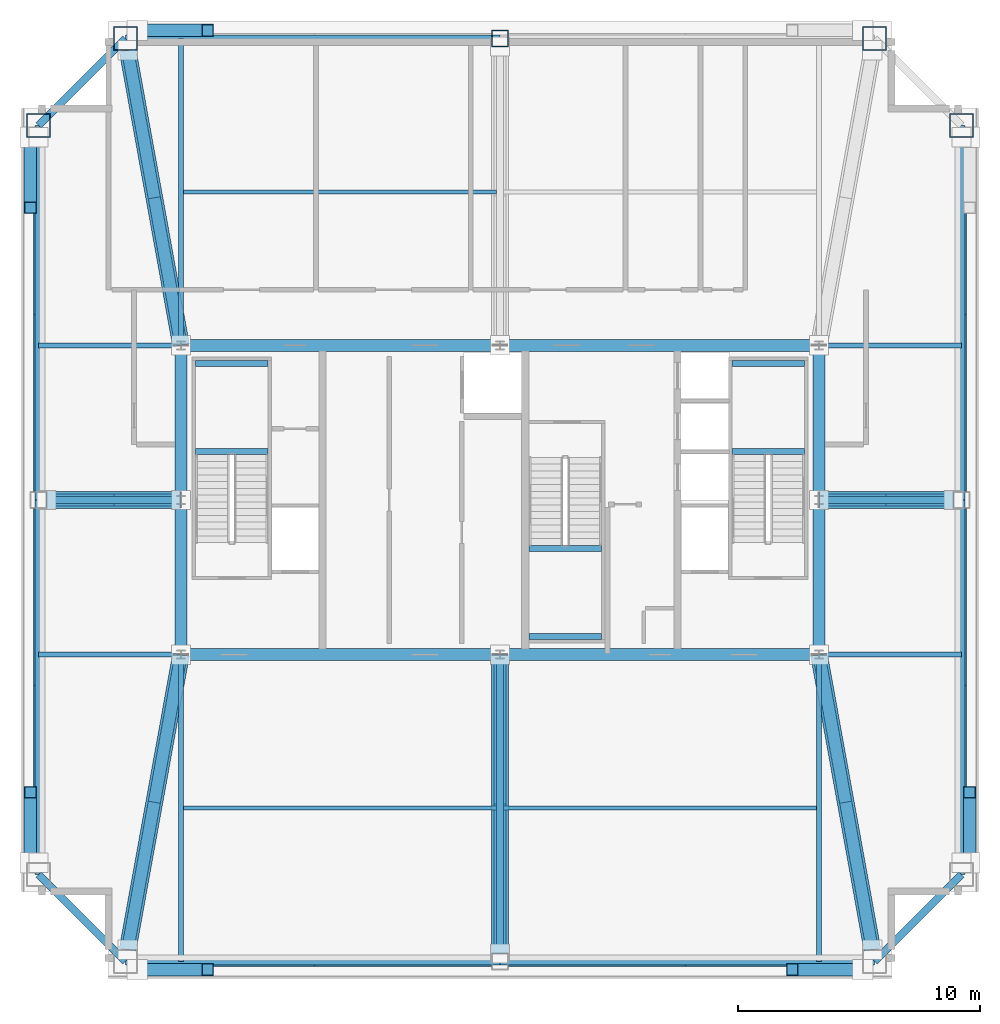
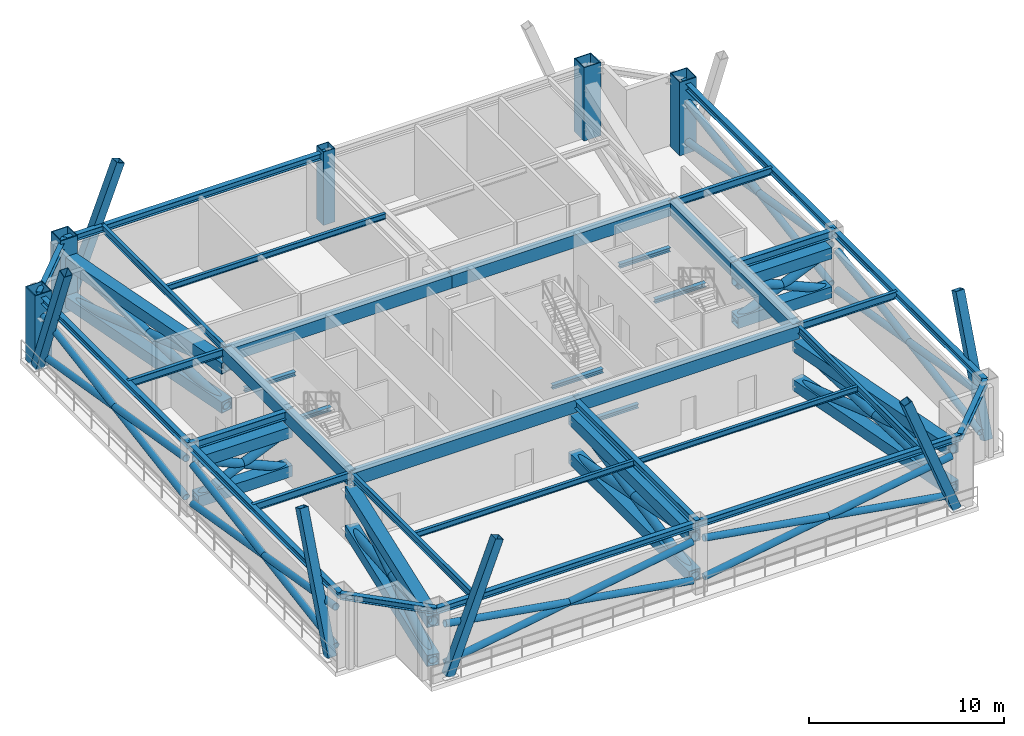
# One storey, part 3 of 9: 42 members, 37 beams, 5 columns.
"""IFC4 building model written with IfcOpenShell, lengths in metres."""

import ifcopenshell
import ifcopenshell.guid

model = None  # the IFC model being written
_history = None  # IfcOwnerHistory: only IFC2X3 demands one
_inside = {}  # id of a spatial element -> (the spatial element, [elements in it])
_under = {}  # id of a project, library or spatial element -> (it, [spatial elements below it])
_declared = {}  # id of a project -> (the project, [libraries it declares])
_typed = {}  # id of a type object -> (the type object, [elements of that type])
_made_of = {}  # id of a material, layer set ... -> (it, [elements and type objects made of it])


def new_model(schema):
    """Start an empty IFC model of exactly this schema.

    Asked for "IFC4X3", IfcOpenShell would pick the latest addendum, in which some entities
    have other attributes; the version numbers below select the first issue.
    IFC2X3 requires an IfcOwnerHistory on every rooted entity: one is made here for all.
    """
    global model, _history
    if schema == "IFC4X3":
        model = ifcopenshell.file(schema_version=(4, 3, 0, 0))
    else:
        model = ifcopenshell.file(schema=schema)
    _inside.clear()
    _under.clear()
    _declared.clear()
    _typed.clear()
    _made_of.clear()
    _history = None
    if model.schema == "IFC2X3":
        org = make("IfcOrganization", Name="unknown")
        user = make(
            "IfcPersonAndOrganization",
            ThePerson=make("IfcPerson", FamilyName="unknown"),
            TheOrganization=org,
        )
        app = make(
            "IfcApplication",
            ApplicationDeveloper=org,
            Version="unknown",
            ApplicationFullName="unknown",
            ApplicationIdentifier="unknown",
        )
        _history = make(
            "IfcOwnerHistory",
            OwningUser=user,
            OwningApplication=app,
            ChangeAction="ADDED",
            CreationDate=0,
        )
    return model


def make(cls, **values):
    """One entity of the class cls with the attributes given. An attribute that is None is left unset."""
    return model.create_entity(
        cls, **{name: value for name, value in values.items() if value is not None}
    )


def rooted(cls, **values):
    """An entity with a GlobalId (a new one), such as an element, a storey or a relation."""
    return make(cls, GlobalId=ifcopenshell.guid.new(), OwnerHistory=_history, **values)


def si_unit(unit_type, name, prefix=None):
    """IfcSIUnit, for example si_unit("LENGTHUNIT", "METRE", prefix="MILLI")."""
    return make("IfcSIUnit", UnitType=unit_type, Prefix=prefix, Name=name)


def assignment(units):
    """IfcUnitAssignment: the units of a project."""
    return None if units is None else make("IfcUnitAssignment", Units=units)


def point(xyz):
    """IfcCartesianPoint."""
    return None if xyz is None else make("IfcCartesianPoint", Coordinates=xyz)


def direction(xyz):
    """IfcDirection."""
    return None if xyz is None else make("IfcDirection", DirectionRatios=xyz)


def frame(location, z_axis=None, x_axis=None):
    """IfcAxis2Placement3D, a coordinate frame: its origin and axes. An axis left out is left unset."""
    return make(
        "IfcAxis2Placement3D",
        Location=point(location),
        Axis=direction(z_axis),
        RefDirection=direction(x_axis),
    )


def frame_2d(location, x_axis=None):
    """IfcAxis2Placement2D, a coordinate frame in the plane: its origin and x axis."""
    return make(
        "IfcAxis2Placement2D", Location=point(location), RefDirection=direction(x_axis)
    )


def origin():
    """The frame at (0, 0, 0) with its axes left unset."""
    return frame((0.0, 0.0, 0.0))


def origin_2d():
    """The frame at (0, 0) in the plane with its x axis left unset."""
    return frame_2d((0.0, 0.0))


def place(relative_to, where):
    """IfcLocalPlacement: puts the frame where relative to a parent placement (None: the world)."""
    return make(
        "IfcLocalPlacement", PlacementRelTo=relative_to, RelativePlacement=where
    )


def context(
    kind, dimensions, precision=None, world=None, true_north=None, identifier=None
):
    """IfcGeometricRepresentationContext, for example the 3D "Model" context."""
    return make(
        "IfcGeometricRepresentationContext",
        ContextIdentifier=identifier,
        ContextType=kind,
        CoordinateSpaceDimension=dimensions,
        Precision=precision,
        WorldCoordinateSystem=world,
        TrueNorth=true_north,
    )


def subcontext(parent, identifier, kind, view, scale=None):
    """IfcGeometricRepresentationSubContext, for example "Body" below "Model"."""
    return make(
        "IfcGeometricRepresentationSubContext",
        ContextIdentifier=identifier,
        ContextType=kind,
        ParentContext=parent,
        TargetScale=scale,
        TargetView=view,
    )


def project(units=None, contexts=None):
    """IfcProject with its units and contexts."""
    return rooted(
        "IfcProject",
        Name="project",
        RepresentationContexts=contexts,
        UnitsInContext=assignment(units),
    )


def spatial(cls, under=None, at=None, **own):
    """A site, building, storey or space (cls), placed at a placement, below another one or the project."""
    s = rooted(cls, ObjectPlacement=at, **own)
    if under is not None:
        _under.setdefault(under.id(), (under, []))[1].append(s)
    return s


def profile(cls, at=None, kind="AREA", **sizes):
    """A parametric profile (cls). Its sizes go by their IFC names, for example OverallWidth=200.0."""
    return make(cls, ProfileType=kind, Position=at, **sizes)


def rectangle(**sizes):
    """IfcRectangleProfileDef."""
    return profile("IfcRectangleProfileDef", **sizes)


def hollow_rectangle(**sizes):
    """IfcRectangleHollowProfileDef."""
    return profile("IfcRectangleHollowProfileDef", **sizes)


def hollow_circle(**sizes):
    """IfcCircleHollowProfileDef."""
    return profile("IfcCircleHollowProfileDef", **sizes)


def i_section(**sizes):
    """IfcIShapeProfileDef."""
    return profile("IfcIShapeProfileDef", **sizes)


def extrude(swept, where, along, depth):
    """IfcExtrudedAreaSolid: the profile swept, set in the frame where, extruded along a direction by depth."""
    return make(
        "IfcExtrudedAreaSolid",
        SweptArea=swept,
        Position=where,
        ExtrudedDirection=direction(along),
        Depth=depth,
    )


def shape(context_of_items, identifier, shape_type, items):
    """IfcShapeRepresentation: the items that make up one representation, for example the "Body"."""
    return make(
        "IfcShapeRepresentation",
        ContextOfItems=context_of_items,
        RepresentationIdentifier=identifier,
        RepresentationType=shape_type,
        Items=items,
    )


def source(mapping_origin, context_of_items, identifier, shape_type, items):
    """IfcRepresentationMap: a shape defined once, which mapped items show again and again."""
    return make(
        "IfcRepresentationMap",
        MappingOrigin=mapping_origin,
        MappedRepresentation=shape(context_of_items, identifier, shape_type, items),
    )


def transform(
    local_origin,
    x_axis=None,
    y_axis=None,
    z_axis=None,
    scale=None,
    scale2=None,
    scale3=None,
    uniform=True,
):
    """IfcCartesianTransformationOperator3D, or its non-uniform kind. x_axis, y_axis, z_axis: its Axis1, 2, 3."""
    if uniform:
        return make(
            "IfcCartesianTransformationOperator3D",
            Axis1=direction(x_axis),
            Axis2=direction(y_axis),
            LocalOrigin=point(local_origin),
            Scale=scale,
            Axis3=direction(z_axis),
        )
    return make(
        "IfcCartesianTransformationOperator3DnonUniform",
        Axis1=direction(x_axis),
        Axis2=direction(y_axis),
        LocalOrigin=point(local_origin),
        Scale=scale,
        Axis3=direction(z_axis),
        Scale2=scale2,
        Scale3=scale3,
    )


def mapped(mapping_source, mapping_target):
    """IfcMappedItem: shows the shape of a source again, moved by a transform."""
    return make(
        "IfcMappedItem", MappingSource=mapping_source, MappingTarget=mapping_target
    )


def material(Name=None, Category=None):
    """IfcMaterial."""
    return make("IfcMaterial", Name=Name, Category=Category)


def material_profile(
    of_material, cross_section, Name=None, Category=None, Priority=None
):
    """IfcMaterialProfile: a cross section and its material."""
    return make(
        "IfcMaterialProfile",
        Name=Name,
        Material=of_material,
        Profile=cross_section,
        Priority=Priority,
        Category=Category,
    )


def profile_set(profiles, Name=None, composite=None):
    """IfcMaterialProfileSet."""
    return make(
        "IfcMaterialProfileSet",
        Name=Name,
        MaterialProfiles=profiles,
        CompositeProfile=composite,
    )


def made_of(thing, what):
    """Note that an element or type object is made of a material, layer set ...; save() writes the relation."""
    if what is not None:
        _made_of.setdefault(what.id(), (what, []))[1].append(thing)
    return thing


def type_object(cls, material=None, **own):
    """A type object (cls), such as IfcWallType, which elements share."""
    return made_of(rooted(cls, **own), material)


def element(
    cls,
    number,
    at=None,
    inside=None,
    cuts=None,
    type_object=None,
    material=None,
    context=None,
    identifier="Body",
    shape_type=None,
    held_by="IfcProductDefinitionShape",
    body=None,
    shapes=None,
    **own,
):
    """One element of the class cls, such as IfcWall. Its Tag is "e" and its number.

    at: its placement. inside: the storey or other place that contains it. cuts: it is an
    opening in that element (IfcRelVoidsElement). A single representation is given by context,
    identifier, shape_type and body (its items); several are given by shapes. held_by: the class
    of the entity that holds the representations. save() writes the other relations.
    """
    e = rooted(cls, Tag="e%d" % number, ObjectPlacement=at, **own)
    if body is not None:
        shapes = [shape(context, identifier, shape_type, body)]
    if shapes is not None:
        e.Representation = make(held_by, Representations=shapes)
    if inside is not None:
        _inside.setdefault(inside.id(), (inside, []))[1].append(e)
    if cuts is not None:
        rooted(
            "IfcRelVoidsElement", RelatingBuildingElement=cuts, RelatedOpeningElement=e
        )
    if type_object is not None:
        _typed.setdefault(type_object.id(), (type_object, []))[1].append(e)
    return made_of(e, material)


def aggregate(whole, parts):
    """IfcRelAggregates: a whole, such as a stair, and the parts it consists of."""
    return rooted("IfcRelAggregates", RelatingObject=whole, RelatedObjects=parts)


def save(model, path):
    """Write the relations noted so far, then the file.

    IfcRelAggregates (storeys below a building ...), IfcRelContainedInSpatialStructure (elements
    in a storey), IfcRelDefinesByType, IfcRelAssociatesMaterial and IfcRelDeclares: one each for
    every whole, place, type object, material and project.
    """
    for whole, parts in _under.values():
        aggregate(whole, parts)
    for where, things in _inside.values():
        rooted(
            "IfcRelContainedInSpatialStructure",
            RelatedElements=things,
            RelatingStructure=where,
        )
    for kind, things in _typed.values():
        rooted("IfcRelDefinesByType", RelatedObjects=things, RelatingType=kind)
    for what, things in _made_of.values():
        rooted("IfcRelAssociatesMaterial", RelatedObjects=things, RelatingMaterial=what)
    for by, libraries in _declared.values():
        rooted("IfcRelDeclares", RelatingContext=by, RelatedDefinitions=libraries)
    model.write(path)


model = new_model("IFC4")

# Units and contexts
model_context = context("Model", 3, precision=1e-05, world=origin(), true_north=direction((0.0, 1.0)))
body_context = subcontext(model_context, "Body", "Model", "MODEL_VIEW")
ifc_project = project(units=[si_unit("LENGTHUNIT", "METRE"), si_unit("AREAUNIT", "SQUARE_METRE"), si_unit("VOLUMEUNIT", "CUBIC_METRE"), si_unit("PLANEANGLEUNIT", "RADIAN"), si_unit("MASSUNIT", "GRAM", prefix="KILO"), si_unit("THERMODYNAMICTEMPERATUREUNIT", "KELVIN"), si_unit("POWERUNIT", "WATT")], contexts=[model_context])

# Site, building, storey
site_placement = place(None, origin())
site = spatial("IfcSite", under=ifc_project, at=site_placement, CompositionType="ELEMENT")
building_placement = place(site_placement, origin())
building = spatial("IfcBuilding", under=site, at=building_placement, Name="Yuzanri Waterfront Tower", CompositionType="ELEMENT")
storey_placement = place(building_placement, frame((0.0, 0.0, 306.60009765625)))
storey = spatial("IfcBuildingStorey", under=building, at=storey_placement, Name="L82", CompositionType="ELEMENT", Elevation=306.60009765625)

# Columns
ifc_material_1 = material(Name="Steel Q390GJC", Category="steel")
ifc_material_profile_1 = material_profile(ifc_material_1, hollow_rectangle(XDim=1.0, YDim=1.0, WallThickness=0.048095703125, at=origin_2d()), Name="RHS 1000x1000x48")
ifc_profile_set_1 = profile_set([ifc_material_profile_1], Name="Steel Q390GJC")
column_type_1 = type_object("IfcColumnType", Name="Mega Column Q390GJC RHS 1000x1000x48", PredefinedType="COLUMN", material=ifc_profile_set_1)
shared_shape_1 = source(origin(), body_context, "Body", "SweptSolid", [
    extrude(hollow_rectangle(XDim=1.0, YDim=1.0, WallThickness=0.048095703125, at=origin_2d()), origin(), (0.0, 0.0, 1.0), 4.599853515625),
])
for number, where, z_axis, x_axis, name in (
    (1, (21.5, 44.89990234375, 0.0), (0.0, 0.0, 1.0), (1.0, 0.0, 0.0), "L82 Perimeter Mega Column N1"),
    (2, (52.5, 44.89990234375, 0.0), (0.0, 0.0, 1.0), (1.0, 0.0, 0.0), "L82 Perimeter Mega Column N3"),
    (3, (17.89990234375, 41.300048828125, 0.0), (0.0, 0.0, 1.0), (1.0, 0.0, 0.0), "L82 Perimeter Mega Column W3"),
    (4, (56.10009765625, 41.300048828125, 0.0), (0.0, 0.0, 1.0), (1.0, 0.0, 0.0), "L82 Perimeter Mega Column E3"),
):
    element("IfcColumn", number, at=place(storey_placement, frame(where, z_axis=z_axis, x_axis=x_axis)), inside=storey, type_object=column_type_1, Name=name, PredefinedType="COLUMN", context=body_context, shape_type="MappedRepresentation", body=[
        mapped(shared_shape_1, transform((0.0, 0.0, 0.0), scale=1.0)),
    ])
ifc_material_2 = material(Name="Steel Q355B", Category="steel")
ifc_material_profile_2 = material_profile(ifc_material_2, hollow_rectangle(XDim=0.699951171875, YDim=0.699951171875, WallThickness=0.031982421875, at=origin_2d()), Name="RHS 700x700x32")
ifc_profile_set_2 = profile_set([ifc_material_profile_2], Name="Steel Q355B")
column_type_2 = type_object("IfcColumnType", Name="Frame Column Q355B RHS 700x700x32", PredefinedType="COLUMN", material=ifc_profile_set_2)
shared_shape_2 = source(origin(), body_context, "Body", "SweptSolid", [
    extrude(hollow_rectangle(XDim=0.699951171875, YDim=0.699951171875, WallThickness=0.031982421875, at=origin_2d()), origin(), (0.0, 0.0, 1.0), 4.599853515625),
])
column_placement = place(storey_placement, frame((37.0, 44.89990234375, 0.0), z_axis=(0.0, 0.0, 1.0), x_axis=(1.0, 0.0, 0.0)))
element("IfcColumn", 5, at=column_placement, inside=storey, type_object=column_type_2, Name="L82 Perimeter Frame Column N2", PredefinedType="COLUMN", context=body_context, shape_type="MappedRepresentation", body=[
    mapped(shared_shape_2, transform((0.0, 0.0, 0.0), scale=1.0)),
])

# Beams
ifc_material_3 = material(Name="Concrete C50", Category="concrete")
ifc_material_profile_3 = material_profile(ifc_material_3, rectangle(XDim=0.5, YDim=0.800048828125, at=origin_2d()), Name="RC 500x800")
ifc_profile_set_3 = profile_set([ifc_material_profile_3], Name="Concrete C50")
beam_type_1 = type_object("IfcBeamType", Name="Core Coupling Lintel Concrete C50 500x800", PredefinedType="LINTEL", material=ifc_profile_set_3)
shared_shape_3 = source(origin(), body_context, "Body", "SweptSolid", [
    extrude(rectangle(XDim=0.5, YDim=0.800048828125, at=origin_2d()), origin(), (0.0, 0.0, 1.0), 13.199951171875),
])
for number, where, z_axis, x_axis, name in (
    (6, (23.800048828125, 19.39990234375, 3.97998046875), (1.0, 0.0, 0.0), (0.0, 1.0, 0.0), "L82 Core Tie Beam CS1"),
    (7, (37.0, 19.39990234375, 3.97998046875), (1.0, 0.0, 0.0), (0.0, 1.0, 0.0), "L82 Core Tie Beam CS2"),
    (8, (23.800048828125, 32.199951171875, 3.97998046875), (1.0, 0.0, 0.0), (0.0, 1.0, 0.0), "L82 Core Tie Beam CN1"),
    (9, (37.0, 32.199951171875, 3.97998046875), (1.0, 0.0, 0.0), (0.0, 1.0, 0.0), "L82 Core Tie Beam CN2"),
):
    element("IfcBeam", number, at=place(storey_placement, frame(where, z_axis=z_axis, x_axis=x_axis)), inside=storey, type_object=beam_type_1, Name=name, PredefinedType="LINTEL", context=body_context, shape_type="MappedRepresentation", body=[
        mapped(shared_shape_3, transform((0.0, 0.0, 0.0), scale=1.0)),
    ])
shared_shape_4 = source(origin(), body_context, "Body", "SweptSolid", [
    extrude(rectangle(XDim=0.5, YDim=0.800048828125, at=origin_2d()), origin(), (0.0, 0.0, 1.0), 6.400146484375),
])
for number, where, z_axis, x_axis, name in (
    (10, (23.800048828125, 19.39990234375, 3.97998046875), (0.0, 1.0, 0.0), (-1.0, 0.0, 0.0), "L82 Core Tie Beam CW1"),
    (11, (50.199951171875, 19.39990234375, 3.97998046875), (0.0, 1.0, 0.0), (-1.0, 0.0, 0.0), "L82 Core Tie Beam CE1"),
):
    element("IfcBeam", number, at=place(storey_placement, frame(where, z_axis=z_axis, x_axis=x_axis)), inside=storey, type_object=beam_type_1, Name=name, PredefinedType="LINTEL", context=body_context, shape_type="MappedRepresentation", body=[
        mapped(shared_shape_4, transform((0.0, 0.0, 0.0), scale=1.0)),
    ])
shared_shape_5 = source(origin(), body_context, "Body", "SweptSolid", [
    extrude(rectangle(XDim=0.5, YDim=0.800048828125, at=origin_2d()), origin(), (0.0, 0.0, 1.0), 6.39990234375),
])
for number, where, z_axis, x_axis, name in (
    (12, (23.800048828125, 25.800048828125, 3.97998046875), (0.0, 1.0, 0.0), (-1.0, 0.0, 0.0), "L82 Core Tie Beam CW2"),
    (13, (50.199951171875, 25.800048828125, 3.97998046875), (0.0, 1.0, 0.0), (-1.0, 0.0, 0.0), "L82 Core Tie Beam CE2"),
):
    element("IfcBeam", number, at=place(storey_placement, frame(where, z_axis=z_axis, x_axis=x_axis)), inside=storey, type_object=beam_type_1, Name=name, PredefinedType="LINTEL", context=body_context, shape_type="MappedRepresentation", body=[
        mapped(shared_shape_5, transform((0.0, 0.0, 0.0), scale=1.0)),
    ])
ifc_material_4 = material(Name="Steel Q355B", Category="steel")
ifc_material_profile_4 = material_profile(ifc_material_4, i_section(OverallWidth=0.175048828125, OverallDepth=0.35009765625, WebThickness=0.007080078125, FlangeThickness=0.010986328125, at=origin_2d()), Name="HN 350x175x7x11")
ifc_profile_set_4 = profile_set([ifc_material_profile_4], Name="Steel Q355B")
beam_type_2 = type_object("IfcBeamType", Name="Floor Joist Q355B HN 350x175", PredefinedType="JOIST", material=ifc_profile_set_4)
shared_shape_6 = source(origin(), body_context, "Body", "SweptSolid", [
    extrude(i_section(OverallWidth=0.175048828125, OverallDepth=0.35009765625, WebThickness=0.007080078125, FlangeThickness=0.010986328125, at=origin_2d()), origin(), (0.0, 0.0, 1.0), 12.9501953125),
])
for number, where, z_axis, x_axis, name in (
    (14, (23.89990234375, 13.050048828125, 4.204833984375), (1.0, 0.0, 0.0), (0.0, 1.0, 0.0), "L82 South Bay Joist W"),
    (15, (37.14990234375, 13.050048828125, 4.204833984375), (1.0, 0.0, 0.0), (0.0, 1.0, 0.0), "L82 South Bay Joist E"),
    (16, (23.89990234375, 38.550048828125, 4.204833984375), (1.0, 0.0, 0.0), (0.0, 1.0, 0.0), "L82 North Bay Joist W"),
):
    element("IfcBeam", number, at=place(storey_placement, frame(where, z_axis=z_axis, x_axis=x_axis)), inside=storey, type_object=beam_type_2, Name=name, PredefinedType="JOIST", context=body_context, shape_type="MappedRepresentation", body=[
        mapped(shared_shape_6, transform((0.0, 0.0, 0.0), scale=1.0)),
    ])
ifc_material_5 = material(Name="Steel Q355B", Category="steel")
ifc_material_profile_5 = material_profile(ifc_material_5, i_section(OverallWidth=0.300048828125, OverallDepth=0.389892578125, WebThickness=0.010009765625, FlangeThickness=0.01611328125, at=origin_2d()), Name="HM 390x300x10x16")
ifc_profile_set_5 = profile_set([ifc_material_profile_5], Name="Steel Q355B")
beam_type_3 = type_object("IfcBeamType", Name="Perimeter Spandrel Q355B HM 390x300", PredefinedType="SPANDREL", material=ifc_profile_set_5)
shared_shape_7 = source(origin(), body_context, "Body", "SweptSolid", [
    extrude(i_section(OverallWidth=0.300048828125, OverallDepth=0.389892578125, WebThickness=0.010009765625, FlangeThickness=0.01611328125, at=origin_2d()), origin(), (0.0, 0.0, 1.0), 15.5),
])
for number, where, z_axis, x_axis, name in (
    (17, (21.5, 6.699951171875, 4.184814453125), (1.0, 0.0, 0.0), (0.0, 1.0, 0.0), "L82 Perimeter Spandrel S1-S2"),
    (18, (37.0, 6.699951171875, 4.184814453125), (1.0, 0.0, 0.0), (0.0, 1.0, 0.0), "L82 Perimeter Spandrel S2-S3"),
    (19, (56.10009765625, 10.300048828125, 4.184814453125), (0.0, 1.0, 0.0), (-1.0, 0.0, 0.0), "L82 Perimeter Spandrel E1-E2"),
    (20, (56.10009765625, 25.800048828125, 4.184814453125), (0.0, 1.0, 0.0), (-1.0, 0.0, 0.0), "L82 Perimeter Spandrel E2-E3"),
    (21, (37.0, 44.89990234375, 4.184814453125), (-1.0, 0.0, 0.0), (0.0, -1.0, 0.0), "L82 Perimeter Spandrel N2-N1"),
    (22, (17.89990234375, 41.300048828125, 4.184814453125), (0.0, -1.0, 0.0), (1.0, 0.0, 0.0), "L82 Perimeter Spandrel W3-W2"),
    (23, (17.89990234375, 25.800048828125, 4.184814453125), (0.0, -1.0, 0.0), (1.0, 0.0, 0.0), "L82 Perimeter Spandrel W2-W1"),
):
    element("IfcBeam", number, at=place(storey_placement, frame(where, z_axis=z_axis, x_axis=x_axis)), inside=storey, type_object=beam_type_3, Name=name, PredefinedType="SPANDREL", context=body_context, shape_type="MappedRepresentation", body=[
        mapped(shared_shape_7, transform((0.0, 0.0, 0.0), scale=1.0)),
    ])
shared_shape_8 = source(origin(), body_context, "Body", "SweptSolid", [
    extrude(i_section(OverallWidth=0.300048828125, OverallDepth=0.389892578125, WebThickness=0.010009765625, FlangeThickness=0.01611328125, at=origin_2d()), origin(), (0.0, 0.0, 1.0), 5.09130859375),
])
for number, where, z_axis, x_axis, name in (
    (24, (52.5, 6.699951171875, 4.184814453125), (0.707106781187, 0.707106781187, 0.0), (-0.707106781187, 0.707106781187, 0.0), "L82 Perimeter Spandrel S3-E1"),
    (25, (17.89990234375, 10.300048828125, 4.184814453125), (0.707106781187, -0.707106781187, 0.0), (0.707106781187, 0.707106781187, 0.0), "L82 Perimeter Spandrel W1-S1"),
):
    element("IfcBeam", number, at=place(storey_placement, frame(where, z_axis=z_axis, x_axis=x_axis)), inside=storey, type_object=beam_type_3, Name=name, PredefinedType="SPANDREL", context=body_context, shape_type="MappedRepresentation", body=[
        mapped(shared_shape_8, transform((0.0, 0.0, 0.0), scale=1.0)),
    ])
shared_shape_9 = source(origin(), body_context, "Body", "SweptSolid", [
    extrude(i_section(OverallWidth=0.300048828125, OverallDepth=0.389892578125, WebThickness=0.010009765625, FlangeThickness=0.01611328125, at=origin_2d()), origin(), (0.0, 0.0, 1.0), 5.091064453125),
])
beam_1_placement = place(storey_placement, frame((21.5, 44.89990234375, 4.184814453125), z_axis=(-0.707130757816, -0.707082803744, 0.0), x_axis=(0.707082803744, -0.707130757816, 0.0)))
element("IfcBeam", 26, at=beam_1_placement, inside=storey, type_object=beam_type_3, Name="L82 Perimeter Spandrel N1-W3", PredefinedType="SPANDREL", context=body_context, shape_type="MappedRepresentation", body=[
    mapped(shared_shape_9, transform((0.0, 0.0, 0.0), scale=1.0)),
])
ifc_material_6 = material(Name="Steel Q355B", Category="steel")
ifc_material_profile_6 = material_profile(ifc_material_6, i_section(OverallWidth=0.300048828125, OverallDepth=0.488037109375, WebThickness=0.010986328125, FlangeThickness=0.01806640625, at=origin_2d()), Name="HM 488x300x11x18")
ifc_profile_set_6 = profile_set([ifc_material_profile_6], Name="Steel Q355B")
beam_type_4 = type_object("IfcBeamType", Name="Primary Floor Girder Q355B HM 488x300", PredefinedType="BEAM", material=ifc_profile_set_6)
shared_shape_10 = source(origin(), body_context, "Body", "SweptSolid", [
    extrude(i_section(OverallWidth=0.300048828125, OverallDepth=0.488037109375, WebThickness=0.010986328125, FlangeThickness=0.01806640625, at=origin_2d()), origin(), (0.0, 0.0, 1.0), 12.699951171875),
])
beam_2_placement = place(storey_placement, frame((37.0, 19.39990234375, 4.135986328125), z_axis=(0.0, -1.0, 0.0), x_axis=(1.0, 0.0, 0.0)))
element("IfcBeam", 27, at=beam_2_placement, inside=storey, type_object=beam_type_4, Name="L82 South Grid Girder", PredefinedType="BEAM", context=body_context, shape_type="MappedRepresentation", body=[
    mapped(shared_shape_10, transform((0.0, 0.0, 0.0), scale=1.0)),
])
shared_shape_11 = source(origin(), body_context, "Body", "SweptSolid", [
    extrude(i_section(OverallWidth=0.300048828125, OverallDepth=0.488037109375, WebThickness=0.010986328125, FlangeThickness=0.01806640625, at=origin_2d()), origin(), (0.0, 0.0, 1.0), 5.900146484375),
])
for number, where, z_axis, x_axis, name in (
    (28, (23.800048828125, 25.800048828125, 4.135986328125), (-1.0, 0.0, 0.0), (0.0, -1.0, 0.0), "L82 West Grid Girder"),
    (29, (50.199951171875, 25.800048828125, 4.135986328125), (1.0, 0.0, 0.0), (0.0, 1.0, 0.0), "L82 East Grid Girder"),
):
    element("IfcBeam", number, at=place(storey_placement, frame(where, z_axis=z_axis, x_axis=x_axis)), inside=storey, type_object=beam_type_4, Name=name, PredefinedType="BEAM", context=body_context, shape_type="MappedRepresentation", body=[
        mapped(shared_shape_11, transform((0.0, 0.0, 0.0), scale=1.0)),
    ])
ifc_material_7 = material(Name="Steel Q355B", Category="steel")
ifc_material_profile_7 = material_profile(ifc_material_7, i_section(OverallWidth=0.199951171875, OverallDepth=0.449951171875, WebThickness=0.009033203125, FlangeThickness=0.013916015625, at=origin_2d()), Name="HN 450x200x9x14")
ifc_profile_set_7 = profile_set([ifc_material_profile_7], Name="Steel Q355B")
beam_type_5 = type_object("IfcBeamType", Name="Secondary Floor Beam Q355B HN 450x200", PredefinedType="BEAM", material=ifc_profile_set_7)
shared_shape_12 = source(origin(), body_context, "Body", "SweptSolid", [
    extrude(i_section(OverallWidth=0.199951171875, OverallDepth=0.449951171875, WebThickness=0.009033203125, FlangeThickness=0.013916015625, at=origin_2d()), origin(), (0.0, 0.0, 1.0), 12.699951171875),
])
for number, where, z_axis, x_axis, name in (
    (30, (23.800048828125, 19.39990234375, 4.15478515625), (0.0, -1.0, 0.0), (1.0, 0.0, 0.0), "L82 South-West Core Line Beam"),
    (31, (50.199951171875, 19.39990234375, 4.15478515625), (0.0, -1.0, 0.0), (1.0, 0.0, 0.0), "L82 South-East Core Line Beam"),
    (32, (23.800048828125, 32.199951171875, 4.15478515625), (0.0, 1.0, 0.0), (-1.0, 0.0, 0.0), "L82 North-West Core Line Beam"),
):
    element("IfcBeam", number, at=place(storey_placement, frame(where, z_axis=z_axis, x_axis=x_axis)), inside=storey, type_object=beam_type_5, Name=name, PredefinedType="BEAM", context=body_context, shape_type="MappedRepresentation", body=[
        mapped(shared_shape_12, transform((0.0, 0.0, 0.0), scale=1.0)),
    ])
shared_shape_13 = source(origin(), body_context, "Body", "SweptSolid", [
    extrude(i_section(OverallWidth=0.199951171875, OverallDepth=0.449951171875, WebThickness=0.009033203125, FlangeThickness=0.013916015625, at=origin_2d()), origin(), (0.0, 0.0, 1.0), 5.900146484375),
])
for number, where, z_axis, x_axis, name in (
    (33, (23.800048828125, 19.39990234375, 4.15478515625), (-1.0, 0.0, 0.0), (0.0, -1.0, 0.0), "L82 West-South Core Line Beam"),
    (34, (23.800048828125, 32.199951171875, 4.15478515625), (-1.0, 0.0, 0.0), (0.0, -1.0, 0.0), "L82 West-North Core Line Beam"),
    (35, (50.199951171875, 19.39990234375, 4.15478515625), (1.0, 0.0, 0.0), (0.0, 1.0, 0.0), "L82 East-South Core Line Beam"),
    (36, (50.199951171875, 32.199951171875, 4.15478515625), (1.0, 0.0, 0.0), (0.0, 1.0, 0.0), "L82 East-North Core Line Beam"),
):
    element("IfcBeam", number, at=place(storey_placement, frame(where, z_axis=z_axis, x_axis=x_axis)), inside=storey, type_object=beam_type_5, Name=name, PredefinedType="BEAM", context=body_context, shape_type="MappedRepresentation", body=[
        mapped(shared_shape_13, transform((0.0, 0.0, 0.0), scale=1.0)),
    ])

# Members
ifc_material_8 = material(Name="Steel Q390GJC", Category="steel")
ifc_material_profile_8 = material_profile(ifc_material_8, hollow_rectangle(XDim=0.5, YDim=0.5, WallThickness=0.02197265625, at=origin_2d()), Name="RHS 500x500x22")
ifc_profile_set_8 = profile_set([ifc_material_profile_8], Name="Steel Q390GJC")
member_type_1 = type_object("IfcMemberType", Name="Mega Brace Upper Q390GJC RHS 500x500x22", PredefinedType="BRACE", material=ifc_profile_set_8)
shared_shape_14 = source(origin(), body_context, "Body", "SweptSolid", [
    extrude(hollow_rectangle(XDim=0.5, YDim=0.5, WallThickness=0.02197265625, at=origin_2d()), origin(), (0.0, 0.0, 1.0), 8.1416015625),
])
for number, where, z_axis, x_axis, name in (
    (37, (21.97998046875, 6.360107421875, 0.179931640625), (0.358647496613, 0.0, 0.933473070406), (0.0, 1.0, 0.0), "L82-L83 Perimeter Mega-Brace S-L"),
    (38, (52.02001953125, 6.360107421875, 0.179931640625), (-0.358647496613, 0.0, 0.933473070406), (0.0, -1.0, 0.0), "L82-L83 Perimeter Mega-Brace S-R"),
    (39, (21.97998046875, 45.239990234375, 0.179931640625), (0.358647496613, 0.0, 0.933473070406), (0.0, 1.0, 0.0), "L82-L83 Perimeter Mega-Brace N-L"),
    (40, (17.56005859375, 10.780029296875, 0.179931640625), (0.0, 0.358647496613, 0.933473070406), (-1.0, 0.0, 0.0), "L82-L83 Perimeter Mega-Brace W-L"),
    (41, (17.56005859375, 40.820068359375, 0.179931640625), (0.0, -0.358673626239, 0.933463030784), (1.0, 0.0, 0.0), "L82-L83 Perimeter Mega-Brace W-R"),
    (42, (56.43994140625, 10.780029296875, 0.179931640625), (0.0, 0.358647496613, 0.933473070406), (-1.0, 0.0, 0.0), "L82-L83 Perimeter Mega-Brace E-L"),
):
    element("IfcMember", number, at=place(storey_placement, frame(where, z_axis=z_axis, x_axis=x_axis)), inside=storey, type_object=member_type_1, Name=name, PredefinedType="BRACE", context=body_context, shape_type="MappedRepresentation", body=[
        mapped(shared_shape_14, transform((0.0, 0.0, 0.0), scale=1.0)),
    ])
ifc_material_9 = material(Name="Steel Q420GJC", Category="steel")
ifc_material_profile_9 = material_profile(ifc_material_9, hollow_rectangle(XDim=0.699951171875, YDim=0.699951171875, WallThickness=0.031982421875, at=origin_2d()), Name="RHS 700x700x32")
ifc_profile_set_9 = profile_set([ifc_material_profile_9], Name="Steel Q420GJC")
member_type_2 = type_object("IfcMemberType", Name="Outrigger Chord Q420GJC RHS 700x700x32", PredefinedType="CHORD", material=ifc_profile_set_9)
shared_shape_15 = source(origin(), body_context, "Body", "SweptSolid", [
    extrude(hollow_rectangle(XDim=0.699951171875, YDim=0.699951171875, WallThickness=0.031982421875, at=origin_2d()), origin(), (0.0, 0.0, 1.0), 12.364990234375),
])
for number, where, z_axis, x_axis, name in (
    (43, (37.0, 19.39990234375, 0.719970703125), (0.0, -1.0, 0.0), (1.0, 0.0, 0.0), "L82 Outrigger Bottom Chord S2"),
    (44, (37.0, 19.39990234375, 3.159912109375), (0.0, -1.0, 0.0), (1.0, 0.0, 0.0), "L82 Outrigger Top Chord S2"),
):
    element("IfcMember", number, at=place(storey_placement, frame(where, z_axis=z_axis, x_axis=x_axis)), inside=storey, type_object=member_type_2, Name=name, PredefinedType="CHORD", context=body_context, shape_type="MappedRepresentation", body=[
        mapped(shared_shape_15, transform((0.0, 0.0, 0.0), scale=1.0)),
    ])
ifc_material_10 = material(Name="Steel Q420GJC", Category="steel")
ifc_material_profile_10 = material_profile(ifc_material_10, hollow_circle(Radius=0.25390625, WallThickness=0.02001953125, at=origin_2d()), Name="CHS 508x20")
ifc_profile_set_10 = profile_set([ifc_material_profile_10], Name="Steel Q420GJC")
member_type_3 = type_object("IfcMemberType", Name="Outrigger Diagonal Q420GJC CHS 508x20", PredefinedType="BRACE", material=ifc_profile_set_10)
shared_shape_16 = source(origin(), body_context, "Body", "SweptSolid", [
    extrude(hollow_circle(Radius=0.25390625, WallThickness=0.02001953125, at=origin_2d()), origin(), (0.0, 0.0, 1.0), 12.603515625),
])
for number, where, z_axis, x_axis, name in (
    (45, (37.0, 19.39990234375, 0.719970703125), (0.0, -0.981081823, 0.193593534446), (1.0, 0.0, 0.0), "L82 Outrigger Diagonal 1 S2"),
    (46, (37.0, 19.39990234375, 3.159912109375), (0.0, -0.981081823, -0.193593534446), (1.0, 0.0, 0.0), "L82 Outrigger Diagonal 2 S2"),
):
    element("IfcMember", number, at=place(storey_placement, frame(where, z_axis=z_axis, x_axis=x_axis)), inside=storey, type_object=member_type_3, Name=name, PredefinedType="BRACE", context=body_context, shape_type="MappedRepresentation", body=[
        mapped(shared_shape_16, transform((0.0, 0.0, 0.0), scale=1.0)),
    ])
shared_shape_17 = source(origin(), body_context, "Body", "SweptSolid", [
    extrude(hollow_rectangle(XDim=0.699951171875, YDim=0.699951171875, WallThickness=0.031982421875, at=origin_2d()), origin(), (0.0, 0.0, 1.0), 5.56494140625),
])
for number, where, z_axis, x_axis, name in (
    (47, (23.800048828125, 25.800048828125, 0.719970703125), (-1.0, 0.0, 0.0), (0.0, -1.0, 0.0), "L82 Outrigger Bottom Chord W2"),
    (48, (23.800048828125, 25.800048828125, 3.159912109375), (-1.0, 0.0, 0.0), (0.0, -1.0, 0.0), "L82 Outrigger Top Chord W2"),
    (49, (50.199951171875, 25.800048828125, 0.719970703125), (1.0, 0.0, 0.0), (0.0, 1.0, 0.0), "L82 Outrigger Bottom Chord E2"),
    (50, (50.199951171875, 25.800048828125, 3.159912109375), (1.0, 0.0, 0.0), (0.0, 1.0, 0.0), "L82 Outrigger Top Chord E2"),
):
    element("IfcMember", number, at=place(storey_placement, frame(where, z_axis=z_axis, x_axis=x_axis)), inside=storey, type_object=member_type_2, Name=name, PredefinedType="CHORD", context=body_context, shape_type="MappedRepresentation", body=[
        mapped(shared_shape_17, transform((0.0, 0.0, 0.0), scale=1.0)),
    ])
shared_shape_18 = source(origin(), body_context, "Body", "SweptSolid", [
    extrude(hollow_circle(Radius=0.25390625, WallThickness=0.02001953125, at=origin_2d()), origin(), (0.0, 0.0, 1.0), 6.076416015625),
])
for number, where, z_axis, x_axis, name in (
    (51, (23.800048828125, 25.800048828125, 0.719970703125), (-0.915837984607, 0.0, 0.401547987109), (0.0, -1.0, 0.0), "L82 Outrigger Diagonal 1 W2"),
    (52, (23.800048828125, 25.800048828125, 3.159912109375), (-0.915837984607, 0.0, -0.401547987109), (0.0, -1.0, 0.0), "L82 Outrigger Diagonal 2 W2"),
    (53, (50.199951171875, 25.800048828125, 0.719970703125), (0.915837984607, 0.0, 0.401547987109), (0.0, 1.0, 0.0), "L82 Outrigger Diagonal 1 E2"),
    (54, (50.199951171875, 25.800048828125, 3.159912109375), (0.915837984607, 0.0, -0.401547987109), (0.0, 1.0, 0.0), "L82 Outrigger Diagonal 2 E2"),
):
    element("IfcMember", number, at=place(storey_placement, frame(where, z_axis=z_axis, x_axis=x_axis)), inside=storey, type_object=member_type_3, Name=name, PredefinedType="BRACE", context=body_context, shape_type="MappedRepresentation", body=[
        mapped(shared_shape_18, transform((0.0, 0.0, 0.0), scale=1.0)),
    ])
shared_shape_19 = source(origin(), body_context, "Body", "SweptSolid", [
    extrude(hollow_rectangle(XDim=0.699951171875, YDim=0.699951171875, WallThickness=0.031982421875, at=origin_2d()), origin(), (0.0, 0.0, 1.0), 12.41357421875),
])
for number, where, z_axis, x_axis, name in (
    (55, (23.800048828125, 19.39990234375, 0.719970703125), (-0.178205222248, -0.983993342845, 0.0), (0.983993342845, -0.178205222248, 0.0), "L82 Outrigger Bottom Chord S1"),
    (56, (23.800048828125, 19.39990234375, 3.159912109375), (-0.178205222248, -0.983993342845, 0.0), (0.983993342845, -0.178205222248, 0.0), "L82 Outrigger Top Chord S1"),
    (57, (50.199951171875, 19.39990234375, 0.719970703125), (0.178205222248, -0.983993342845, 0.0), (0.983993342845, 0.178205222248, 0.0), "L82 Outrigger Bottom Chord S3"),
    (58, (50.199951171875, 19.39990234375, 3.159912109375), (0.178205222248, -0.983993342845, 0.0), (0.983993342845, 0.178205222248, 0.0), "L82 Outrigger Top Chord S3"),
):
    element("IfcMember", number, at=place(storey_placement, frame(where, z_axis=z_axis, x_axis=x_axis)), inside=storey, type_object=member_type_2, Name=name, PredefinedType="CHORD", context=body_context, shape_type="MappedRepresentation", body=[
        mapped(shared_shape_19, transform((0.0, 0.0, 0.0), scale=1.0)),
    ])
shared_shape_20 = source(origin(), body_context, "Body", "SweptSolid", [
    extrude(hollow_circle(Radius=0.25390625, WallThickness=0.02001953125, at=origin_2d()), origin(), (0.0, 0.0, 1.0), 12.651123046875),
])
for number, where, z_axis, x_axis, name in (
    (59, (23.800048828125, 19.39990234375, 0.719970703125), (-0.174859488487, -0.965519250414, 0.192864554458), (0.983993342845, -0.178205222248, 0.0), "L82 Outrigger Diagonal 1 S1"),
    (60, (23.800048828125, 19.39990234375, 3.159912109375), (-0.174859488487, -0.965519250414, -0.192864554458), (0.983993342845, -0.178205222248, 0.0), "L82 Outrigger Diagonal 2 S1"),
    (61, (50.199951171875, 19.39990234375, 0.719970703125), (0.174859488487, -0.965519250414, 0.192864554458), (0.983993342845, 0.178205222248, 0.0), "L82 Outrigger Diagonal 1 S3"),
    (62, (50.199951171875, 19.39990234375, 3.159912109375), (0.174859488487, -0.965519250414, -0.192864554458), (0.983993342845, 0.178205222248, 0.0), "L82 Outrigger Diagonal 2 S3"),
):
    element("IfcMember", number, at=place(storey_placement, frame(where, z_axis=z_axis, x_axis=x_axis)), inside=storey, type_object=member_type_3, Name=name, PredefinedType="BRACE", context=body_context, shape_type="MappedRepresentation", body=[
        mapped(shared_shape_20, transform((0.0, 0.0, 0.0), scale=1.0)),
    ])
shared_shape_21 = source(origin(), body_context, "Body", "SweptSolid", [
    extrude(hollow_rectangle(XDim=0.699951171875, YDim=0.699951171875, WallThickness=0.031982421875, at=origin_2d()), origin(), (0.0, 0.0, 1.0), 12.413818359375),
])
for number, where, z_axis, x_axis, name in (
    (63, (23.800048828125, 32.199951171875, 0.719970703125), (-0.178201773602, 0.983993967403, 0.0), (-0.983993967403, -0.178201773602, 0.0), "L82 Outrigger Bottom Chord N1"),
    (64, (23.800048828125, 32.199951171875, 3.159912109375), (-0.178201773602, 0.983993967403, 0.0), (-0.983993967403, -0.178201773602, 0.0), "L82 Outrigger Top Chord N1"),
):
    element("IfcMember", number, at=place(storey_placement, frame(where, z_axis=z_axis, x_axis=x_axis)), inside=storey, type_object=member_type_2, Name=name, PredefinedType="CHORD", context=body_context, shape_type="MappedRepresentation", body=[
        mapped(shared_shape_21, transform((0.0, 0.0, 0.0), scale=1.0)),
    ])
shared_shape_22 = source(origin(), body_context, "Body", "SweptSolid", [
    extrude(hollow_circle(Radius=0.25390625, WallThickness=0.02001953125, at=origin_2d()), origin(), (0.0, 0.0, 1.0), 12.6513671875),
])
for number, where, z_axis, x_axis, name in (
    (65, (23.800048828125, 32.199951171875, 0.719970703125), (-0.174856230455, 0.965520558255, 0.19286096095), (-0.983993967403, -0.178201773602, 0.0), "L82 Outrigger Diagonal 1 N1"),
    (66, (23.800048828125, 32.199951171875, 3.159912109375), (-0.174856230455, 0.965520558255, -0.19286096095), (-0.983993967403, -0.178201773602, 0.0), "L82 Outrigger Diagonal 2 N1"),
):
    element("IfcMember", number, at=place(storey_placement, frame(where, z_axis=z_axis, x_axis=x_axis)), inside=storey, type_object=member_type_3, Name=name, PredefinedType="BRACE", context=body_context, shape_type="MappedRepresentation", body=[
        mapped(shared_shape_22, transform((0.0, 0.0, 0.0), scale=1.0)),
    ])
ifc_material_11 = material(Name="Steel Q390GJC", Category="steel")
ifc_material_profile_11 = material_profile(ifc_material_11, hollow_circle(Radius=0.202880859375, WallThickness=0.01611328125, at=origin_2d()), Name="CHS 406x16")
ifc_profile_set_11 = profile_set([ifc_material_profile_11], Name="Steel Q390GJC")
member_type_4 = type_object("IfcMemberType", Name="Belt Truss Strut Q390GJC CHS 406x16", PredefinedType="STRUT", material=ifc_profile_set_11)
shared_shape_23 = source(origin(), body_context, "Body", "SweptSolid", [
    extrude(hollow_circle(Radius=0.202880859375, WallThickness=0.01611328125, at=origin_2d()), origin(), (0.0, 0.0, 1.0), 14.88134765625),
])
for number, where, z_axis, x_axis, name in (
    (67, (21.985107421875, 6.699951171875, 0.719970703125), (0.986466987353, 0.0, 0.163960003852), (0.0, 1.0, 0.0), "L82 Belt Truss Diagonal S1-S2 A"),
    (68, (21.985107421875, 6.699951171875, 3.159912109375), (0.986466987353, 0.0, -0.163960003852), (0.0, 1.0, 0.0), "L82 Belt Truss Diagonal S1-S2 B"),
    (69, (37.3349609375, 6.699951171875, 0.719970703125), (0.986466987353, 0.0, 0.163960003852), (0.0, 1.0, 0.0), "L82 Belt Truss Diagonal S2-S3 A"),
    (70, (37.3349609375, 6.699951171875, 3.159912109375), (0.986466987353, 0.0, -0.163960003852), (0.0, 1.0, 0.0), "L82 Belt Truss Diagonal S2-S3 B"),
    (71, (17.89990234375, 26.135009765625, 0.719970703125), (0.0, 0.986466987353, 0.163960003852), (-1.0, 0.0, 0.0), "L82 Belt Truss Diagonal W2-W3 A"),
    (72, (17.89990234375, 26.135009765625, 3.159912109375), (0.0, 0.986466987353, -0.163960003852), (-1.0, 0.0, 0.0), "L82 Belt Truss Diagonal W2-W3 B"),
    (73, (56.10009765625, 26.135009765625, 0.719970703125), (0.0, 0.986466987353, 0.163960003852), (-1.0, 0.0, 0.0), "L82 Belt Truss Diagonal E2-E3 A"),
    (74, (56.10009765625, 26.135009765625, 3.159912109375), (0.0, 0.986466987353, -0.163960003852), (-1.0, 0.0, 0.0), "L82 Belt Truss Diagonal E2-E3 B"),
):
    element("IfcMember", number, at=place(storey_placement, frame(where, z_axis=z_axis, x_axis=x_axis)), inside=storey, type_object=member_type_4, Name=name, PredefinedType="STRUT", context=body_context, shape_type="MappedRepresentation", body=[
        mapped(shared_shape_23, transform((0.0, 0.0, 0.0), scale=1.0)),
    ])
shared_shape_24 = source(origin(), body_context, "Body", "SweptSolid", [
    extrude(hollow_circle(Radius=0.202880859375, WallThickness=0.01611328125, at=origin_2d()), origin(), (0.0, 0.0, 1.0), 14.881591796875),
])
for number, where, z_axis, x_axis, name in (
    (75, (17.89990234375, 10.784912109375, 0.719970703125), (0.0, 0.986467428378, 0.163957350394), (-1.0, 0.0, 0.0), "L82 Belt Truss Diagonal W1-W2 A"),
    (76, (17.89990234375, 10.784912109375, 3.159912109375), (0.0, 0.986467428378, -0.163957350394), (-1.0, 0.0, 0.0), "L82 Belt Truss Diagonal W1-W2 B"),
    (77, (56.10009765625, 10.784912109375, 0.719970703125), (0.0, 0.986467428378, 0.163957350394), (-1.0, 0.0, 0.0), "L82 Belt Truss Diagonal E1-E2 A"),
    (78, (56.10009765625, 10.784912109375, 3.159912109375), (0.0, 0.986467428378, -0.163957350394), (-1.0, 0.0, 0.0), "L82 Belt Truss Diagonal E1-E2 B"),
):
    element("IfcMember", number, at=place(storey_placement, frame(where, z_axis=z_axis, x_axis=x_axis)), inside=storey, type_object=member_type_4, Name=name, PredefinedType="STRUT", context=body_context, shape_type="MappedRepresentation", body=[
        mapped(shared_shape_24, transform((0.0, 0.0, 0.0), scale=1.0)),
    ])

# Beams
ifc_material_12 = material(Name="Steel Q355B", Category="steel")
ifc_material_profile_12 = material_profile(ifc_material_12, i_section(OverallWidth=0.25, OverallDepth=0.25, WebThickness=0.009033203125, FlangeThickness=0.013916015625, at=origin_2d()), Name="HW 250x250x9x14")
ifc_profile_set_12 = profile_set([ifc_material_profile_12], Name="Steel Q355B")
beam_type_6 = type_object("IfcBeamType", Name="Stair Landing Support Beam Q355B HW 250x250", PredefinedType="BEAM", material=ifc_profile_set_12)
shared_shape_25 = source(origin(), body_context, "Body", "SweptSolid", [
    extrude(i_section(OverallWidth=0.25, OverallDepth=0.25, WebThickness=0.009033203125, FlangeThickness=0.013916015625, at=origin_2d()), origin(), (0.0, 0.0, 1.0), 3.0),
])
for number, where, z_axis, x_axis, name in (
    (79, (24.39990234375, 27.81005859375, 1.974853515625), (1.0, 0.0, 0.0), (0.0, 1.0, 0.0), "L82 Stair Landing Support Beam ST-01-L82-L1-1"),
    (80, (24.39990234375, 31.449951171875, 1.974853515625), (1.0, 0.0, 0.0), (0.0, 1.0, 0.0), "L82 Stair Landing Support Beam ST-01-L82-L1-2"),
    (81, (46.60009765625, 27.81005859375, 1.974853515625), (1.0, 0.0, 0.0), (0.0, 1.0, 0.0), "L82 Stair Landing Support Beam ST-02-L82-L1-1"),
    (82, (46.60009765625, 31.449951171875, 1.974853515625), (1.0, 0.0, 0.0), (0.0, 1.0, 0.0), "L82 Stair Landing Support Beam ST-02-L82-L1-2"),
    (83, (38.199951171875, 20.14990234375, 1.974853515625), (1.0, 0.0, 0.0), (0.0, 1.0, 0.0), "L82 Stair Landing Support Beam ST-03-L82-L1-1"),
    (84, (38.199951171875, 23.7900390625, 1.974853515625), (1.0, 0.0, 0.0), (0.0, 1.0, 0.0), "L82 Stair Landing Support Beam ST-03-L82-L1-2"),
):
    element("IfcBeam", number, at=place(storey_placement, frame(where, z_axis=z_axis, x_axis=x_axis)), inside=storey, type_object=beam_type_6, Name=name, PredefinedType="BEAM", context=body_context, shape_type="MappedRepresentation", body=[
        mapped(shared_shape_25, transform((0.0, 0.0, 0.0), scale=1.0)),
    ])

save(model, "model.ifc")
